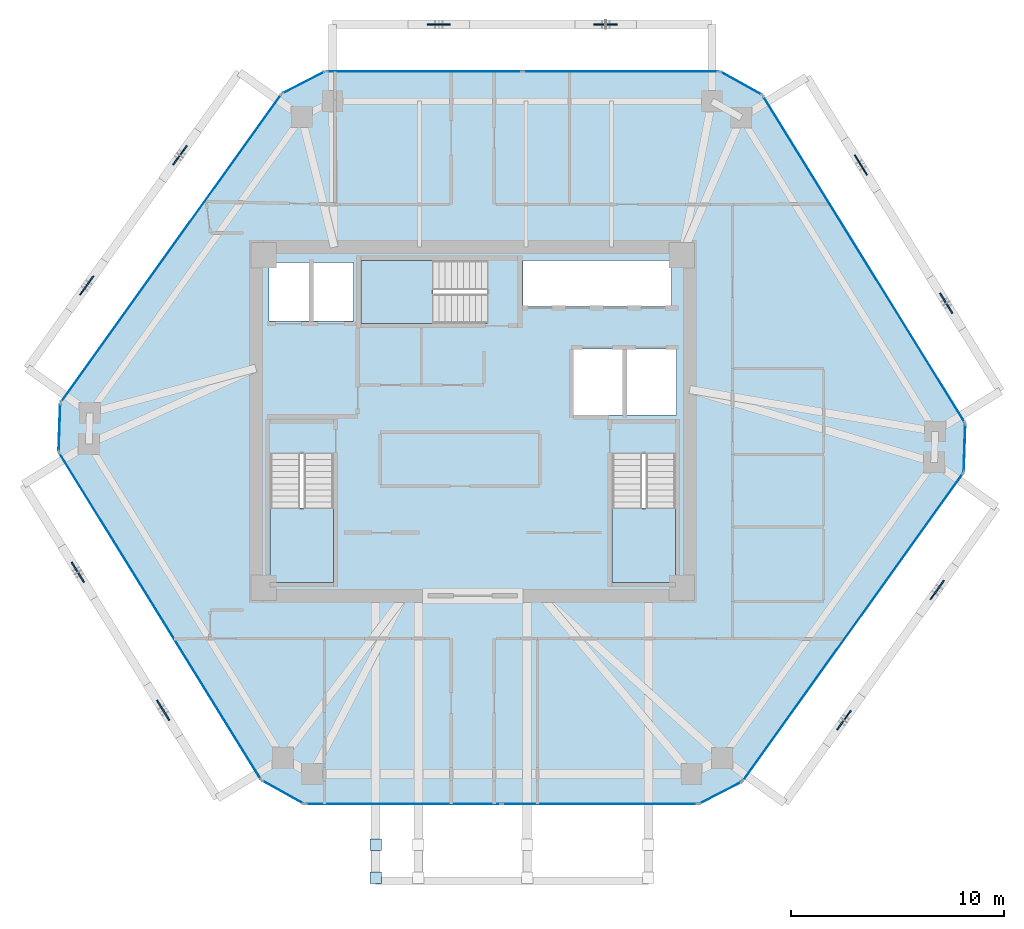
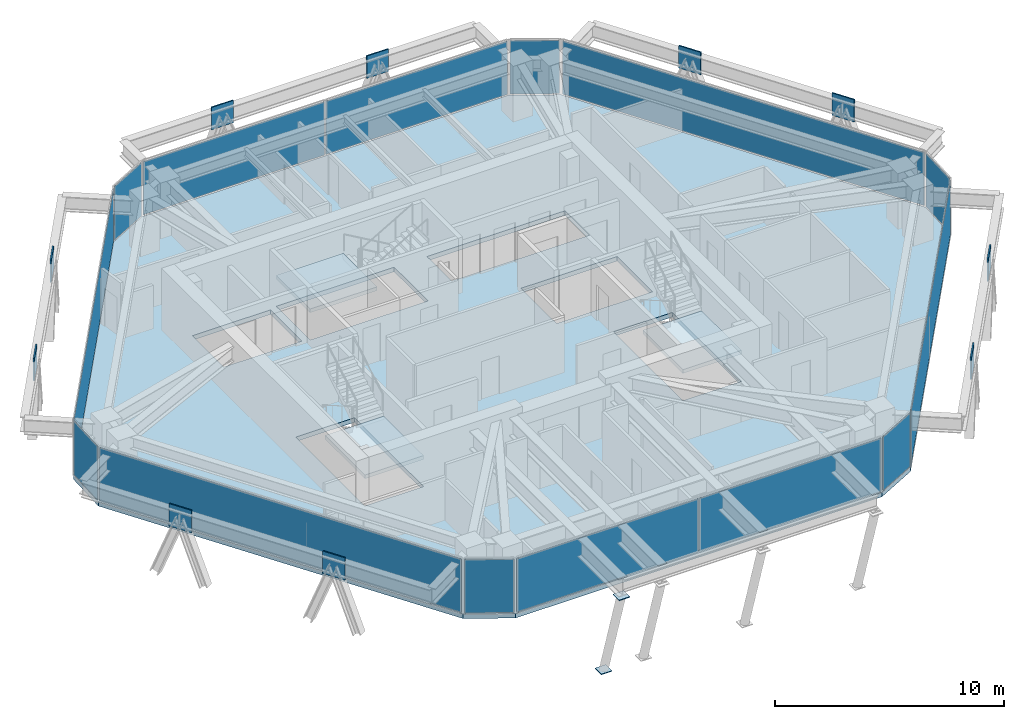
# One storey, part 7 of 14: 26 plates, 4 slabs, 15 elements without a shape of their own.
"""IFC4 building model written with IfcOpenShell, lengths in metres."""

from ifc_helpers import new_model, si_unit, direction, frame, origin, origin_2d, place, context, subcontext, project, spatial, polyline, rectangle, outline, extrude, source, transform, mapped, material, layer, layer_set, type_object, type_shapes, element, aggregate, save


model = new_model("IFC4")

# Units and contexts
model_context = context("Model", 3, precision=1e-05, world=origin(), true_north=direction((0.0, 1.0)))
body_context = subcontext(model_context, "Body", "Model", "MODEL_VIEW")
ifc_project = project(units=[si_unit("LENGTHUNIT", "METRE"), si_unit("AREAUNIT", "SQUARE_METRE"), si_unit("VOLUMEUNIT", "CUBIC_METRE"), si_unit("PLANEANGLEUNIT", "RADIAN"), si_unit("MASSUNIT", "GRAM", prefix="KILO")], contexts=[model_context])

# Site, building, storey
site_placement = place(None, origin())
site = spatial("IfcSite", under=ifc_project, at=site_placement, CompositionType="ELEMENT")
building_placement = place(site_placement, origin())
building = spatial("IfcBuilding", under=site, at=building_placement, Name="Durnholm Broadcast Tower", CompositionType="ELEMENT")
storey_placement = place(building_placement, frame((0.0, 0.0, 159.300048828125)))
storey = spatial("IfcBuildingStorey", under=building, at=storey_placement, Name="L43", CompositionType="ELEMENT", Elevation=159.300048828125)

# Slab
ifc_material_1 = material(Name="Concrete C50/60", Category="concrete")
ifc_layer_1 = layer(ifc_material_1, 0.239990234375)
ifc_layer_set_1 = layer_set([ifc_layer_1], Name="Concrete C50/60")
slab_type_1 = type_object("IfcSlabType", Name="SLAB-FLR-240", PredefinedType="FLOOR", material=ifc_layer_set_1)
slab_1_placement = place(storey_placement, frame((0.0, 0.0, -0.239990234375)))
element("IfcSlab", 1, at=slab_1_placement, inside=storey, type_object=slab_type_1, Name="L43 structural floor slab", PredefinedType="FLOOR", context=body_context, shape_type="SweptSolid", body=[
    extrude(outline(polyline([(-9.912353515625, -16.822021484375), (-7.9033203125, -17.94189453125), (10.59521484375, -17.94189453125), (12.64111328125, -16.890625), (23.022705078125, -2.390380859375), (23.1005859375, -0.091552734375), (13.59033203125, 15.2978515625), (11.581298828125, 16.41796875), (-6.917236328125, 16.41796875), (-8.962890625, 15.36669921875), (-19.3447265625, 0.8662109375), (-19.422607421875, -1.432373046875), (-9.912353515625, -16.822021484375)]), holes=[polyline([(-6.5400390625, -1.5), (-9.5, -1.5), (-9.5, -7.550048828125), (-6.5400390625, -7.550048828125), (-6.5400390625, -1.5)]), polyline([(9.5, -7.550048828125), (9.5, -1.5), (6.5400390625, -1.5), (6.5400390625, -7.550048828125), (9.5, -7.550048828125)]), polyline([(9.550048828125, 3.39990234375), (4.699951171875, 3.39990234375), (4.699951171875, 0.300048828125), (9.550048828125, 0.300048828125), (9.550048828125, 3.39990234375)]), polyline([(-9.550048828125, 7.449951171875), (-9.550048828125, 4.699951171875), (-5.60009765625, 4.699951171875), (-5.60009765625, 7.449951171875), (-9.550048828125, 7.449951171875)]), polyline([(-5.25, 4.60009765625), (0.699951171875, 4.60009765625), (0.699951171875, 7.56005859375), (-5.25, 7.56005859375), (-5.25, 4.60009765625)]), polyline([(9.31005859375, 7.550048828125), (2.35009765625, 7.550048828125), (2.35009765625, 5.39990234375), (9.31005859375, 5.39990234375), (9.31005859375, 7.550048828125)])]), origin(), (0.0, 0.0, 1.0), 0.239990234375),
])

# Stair, slab
stair_type = type_object("IfcStairType", Name="STAIR-DL-20R1650", PredefinedType="HALF_TURN_STAIR", material=ifc_material_1)
stair_1_placement = place(storey_placement, origin())
stair_1 = element("IfcStair", 2, at=stair_1_placement, inside=storey, type_object=stair_type, Name="L43 ST-1", PredefinedType="HALF_TURN_STAIR")
ifc_layer_2 = layer(ifc_material_1, 0.199951171875)
ifc_layer_set_2 = layer_set([ifc_layer_2], Name="Concrete C50/60")
slab_type_2 = type_object("IfcSlabType", Name="SLAB-LND-200", PredefinedType="LANDING", material=ifc_layer_set_2)
slab_2_placement = place(storey_placement, frame((0.0, 0.0, 1.449951171875)))
slab_2 = element("IfcSlab", 3, at=slab_2_placement, type_object=slab_type_2, Name="ST-1 landing 1", PredefinedType="LANDING", context=body_context, shape_type="SweptSolid", body=[
    extrude(outline(polyline([(-9.5, -4.06494140625), (-9.5, -7.550048828125), (-6.5400390625, -7.550048828125), (-6.5400390625, -4.06494140625), (-9.5, -4.06494140625)])), origin(), (0.0, 0.0, 1.0), 0.199951171875),
])
aggregate(stair_1, [slab_2])

stair_2_placement = place(storey_placement, origin())
stair_2 = element("IfcStair", 4, at=stair_2_placement, inside=storey, type_object=stair_type, Name="L43 ST-2", PredefinedType="HALF_TURN_STAIR")
slab_3_placement = place(storey_placement, frame((0.0, 0.0, 1.449951171875)))
slab_3 = element("IfcSlab", 5, at=slab_3_placement, type_object=slab_type_2, Name="ST-2 landing 1", PredefinedType="LANDING", context=body_context, shape_type="SweptSolid", body=[
    extrude(outline(polyline([(6.5400390625, -4.06494140625), (6.5400390625, -7.550048828125), (9.5, -7.550048828125), (9.5, -4.06494140625), (6.5400390625, -4.06494140625)])), origin(), (0.0, 0.0, 1.0), 0.199951171875),
])
aggregate(stair_2, [slab_3])

stair_3_placement = place(storey_placement, origin())
stair_3 = element("IfcStair", 6, at=stair_3_placement, inside=storey, type_object=stair_type, Name="L43 ST-3", PredefinedType="HALF_TURN_STAIR")
slab_4_placement = place(storey_placement, frame((0.0, 0.0, 1.449951171875)))
slab_4 = element("IfcSlab", 7, at=slab_4_placement, type_object=slab_type_2, Name="ST-3 landing 1", PredefinedType="LANDING", context=body_context, shape_type="SweptSolid", body=[
    extrude(outline(polyline([(-1.864990234375, 7.56005859375), (-5.25, 7.56005859375), (-5.25, 4.60009765625), (-1.864990234375, 4.60009765625), (-1.864990234375, 7.56005859375)])), origin(), (0.0, 0.0, 1.0), 0.199951171875),
])
aggregate(stair_3, [slab_4])

# Plates
ifc_material_2 = material(Name="Steel ASTM A572 Grade 50", Category="steel")
ifc_layer_3 = layer(ifc_material_2, 0.0400390625)
ifc_layer_set_3 = layer_set([ifc_layer_3], Name="Steel ASTM A572 Grade 50")
plate_type_1 = type_object("IfcPlateType", Name="PLT-KN-CAP", PredefinedType="USERDEFINED", material=ifc_layer_set_3)
shared_shape_1 = source(origin(), body_context, "Body", "SweptSolid", [
    extrude(rectangle(XDim=0.5400390625, YDim=0.5400390625, at=origin_2d()), origin(), (0.0, 0.0, 1.0), 0.0400390625),
])
type_shapes(plate_type_1, [shared_shape_1])
for number, where, z_axis, x_axis, name in (
    (8, (-4.56103515625, -19.85205078125, -3.027099609375), (0.0, 0.0, 1.0), (0.0, -1.0, 0.0), "L43 hollow section end cap plate STR-POOL-SUP-1 1"),
    (9, (-4.56103515625, -21.402099609375, 1.859130859375), (0.0, 0.0, 1.0), (0.0, -1.0, 0.0), "L43 hollow section end cap plate STR-POOL-SUP-1 2"),
):
    element("IfcPlate", number, at=place(storey_placement, frame(where, z_axis=z_axis, x_axis=x_axis)), inside=storey, type_object=plate_type_1, Name=name, ObjectType="CAP_PLATE", PredefinedType="USERDEFINED", context=body_context, shape_type="MappedRepresentation", body=[
        mapped(shared_shape_1, transform((0.0, 0.0, 0.0), x_axis=(1.0, 0.0, 0.0), y_axis=(0.0, 1.0, 0.0), z_axis=(0.0, 0.0, 1.0), scale=1.0)),
    ])
ifc_layer_4 = layer(ifc_material_2, 0.06494140625)
ifc_layer_set_4 = layer_set([ifc_layer_4], Name="Steel ASTM A572 Grade 50")
plate_type_2 = type_object("IfcPlateType", Name="PLT-KN07-GUS", PredefinedType="USERDEFINED", material=ifc_layer_set_4)
shared_shape_2 = source(origin(), body_context, "Body", "SweptSolid", [
    extrude(rectangle(XDim=1.10009765625, YDim=0.06494140625, at=origin_2d()), origin(), (0.0, 0.0, 1.0), 1.199951171875),
])
type_shapes(plate_type_2, [shared_shape_2])
for number, where, z_axis, x_axis, name in (
    (10, (17.40966796875, -14.009521484375, 1.62841796875), (0.0, 0.0, 1.0), (0.582122970157, 0.813100761047, 0.0), "L43 welded diagrid node gusset plate KN07 F2"),
    (11, (21.782470703125, -7.90185546875, 1.62841796875), (0.0, 0.0, 1.0), (0.582122970157, 0.813100761047, 0.0), "L43 welded diagrid node gusset plate KN07 F2"),
    (12, (22.202392578125, 5.546875, 1.62841796875), (0.0, 0.0, 1.0), (-0.525768608156, 0.850627633385, 0.0), "L43 welded diagrid node gusset plate KN07 F3"),
    (13, (18.2001953125, 12.023193359375, 1.62841796875), (0.0, 0.0, 1.0), (-0.525768608156, 0.850627633385, 0.0), "L43 welded diagrid node gusset plate KN07 F3"),
    (14, (6.234619140625, 18.617919921875, 1.62841796875), (0.0, 0.0, 1.0), (-1.0, 0.0, 0.0), "L43 welded diagrid node gusset plate KN07 F4"),
    (15, (-1.595703125, 18.617919921875, 1.62841796875), (0.0, 0.0, 1.0), (-1.0, 0.0, 0.0), "L43 welded diagrid node gusset plate KN07 F4"),
    (16, (-13.731689453125, 12.485595703125, 1.62841796875), (0.0, 0.0, 1.0), (-0.582122970157, -0.813100761047, 0.0), "L43 welded diagrid node gusset plate KN07 F5"),
    (17, (-18.1044921875, 6.3779296875, 1.62841796875), (0.0, 0.0, 1.0), (-0.582122970157, -0.813100761047, 0.0), "L43 welded diagrid node gusset plate KN07 F5"),
    (18, (-18.5244140625, -7.07080078125, 1.62841796875), (0.0, 0.0, 1.0), (0.525768608156, -0.850627633385, 0.0), "L43 welded diagrid node gusset plate KN07 F6"),
    (19, (-14.522216796875, -13.54736328125, 1.62841796875), (0.0, 0.0, 1.0), (0.525768608156, -0.850627633385, 0.0), "L43 welded diagrid node gusset plate KN07 F6"),
):
    element("IfcPlate", number, at=place(storey_placement, frame(where, z_axis=z_axis, x_axis=x_axis)), inside=storey, type_object=plate_type_2, Name=name, ObjectType="GUSSET_PLATE", PredefinedType="USERDEFINED", context=body_context, shape_type="MappedRepresentation", body=[
        mapped(shared_shape_2, transform((0.0, 0.0, 0.0), x_axis=(1.0, 0.0, 0.0), y_axis=(0.0, 1.0, 0.0), z_axis=(0.0, 0.0, 1.0), scale=1.0)),
    ])

# Curtain wall, plate
ifc_material_3 = material(Name="Aluminium and Solar Control IGU", Category="aluminium")
ifc_layer_5 = layer(ifc_material_3, 0.1650390625)
ifc_layer_set_5 = layer_set([ifc_layer_5], Name="Aluminium and Solar Control IGU")
curtain_wall_type_1 = type_object("IfcCurtainWallType", Name="CW-SYS-5", PredefinedType="NOTDEFINED", material=ifc_layer_set_5)
curtain_wall_1_placement = place(storey_placement, origin())
curtain_wall_1 = element("IfcCurtainWall", 20, at=curtain_wall_1_placement, inside=storey, type_object=curtain_wall_type_1, Name="L43 curtain wall CW-CORNER CW-L43-CRN-01", PredefinedType="NOTDEFINED")
ifc_material_4 = material(Name="Low-E Laminated Insulating Glass", Category="glass")
ifc_layer_6 = layer(ifc_material_4, 0.030029296875)
ifc_layer_set_6 = layer_set([ifc_layer_6], Name="Low-E Laminated Insulating Glass")
plate_type_3 = type_object("IfcPlateType", Name="CW-SYS-5-PNL", PredefinedType="CURTAIN_PANEL", material=ifc_layer_set_6)
shared_shape_3 = source(origin(), body_context, "Body", "SweptSolid", [
    extrude(rectangle(XDim=2.169921875, YDim=0.030029296875, at=origin_2d()), origin(), (0.0, 0.0, 1.0), 2.85009765625),
])
plate_1_placement = place(storey_placement, frame((-19.3837890625, -0.282958984375, 0.06494140625), z_axis=(0.0, 0.0, 1.0), x_axis=(0.033912704699, 0.999424798802, 0.0)))
plate_1 = element("IfcPlate", 21, at=plate_1_placement, type_object=plate_type_3, Name="CW-CORNER panel 1.1", PredefinedType="CURTAIN_PANEL", context=body_context, shape_type="MappedRepresentation", body=[
    mapped(shared_shape_3, transform((0.0, 0.0, 0.0), x_axis=(1.0, 0.0, 0.0), y_axis=(0.0, 1.0, 0.0), z_axis=(0.0, 0.0, 1.0), scale=1.0)),
])
aggregate(curtain_wall_1, [plate_1])

curtain_wall_2_placement = place(storey_placement, origin())
curtain_wall_2 = element("IfcCurtainWall", 22, at=curtain_wall_2_placement, inside=storey, type_object=curtain_wall_type_1, Name="L43 curtain wall CW-CORNER CW-L43-CRN-03", PredefinedType="NOTDEFINED")
plate_2_placement = place(storey_placement, frame((-7.940185546875, 15.892333984375, 0.06494140625), z_axis=(0.0, 0.0, 1.0), x_axis=(0.889424679545, 0.457081764476, 0.0)))
plate_2 = element("IfcPlate", 23, at=plate_2_placement, type_object=plate_type_3, Name="CW-CORNER panel 1.1", PredefinedType="CURTAIN_PANEL", context=body_context, shape_type="MappedRepresentation", body=[
    mapped(shared_shape_3, transform((0.0, 0.0, 0.0), x_axis=(1.0, 0.0, 0.0), y_axis=(0.0, 1.0, 0.0), z_axis=(0.0, 0.0, 1.0), scale=1.0)),
])
aggregate(curtain_wall_2, [plate_2])

curtain_wall_3_placement = place(storey_placement, origin())
curtain_wall_3 = element("IfcCurtainWall", 24, at=curtain_wall_3_placement, inside=storey, type_object=curtain_wall_type_1, Name="L43 curtain wall CW-CORNER CW-L43-CRN-07", PredefinedType="NOTDEFINED")
plate_3_placement = place(storey_placement, frame((23.061767578125, -1.240966796875, 0.06494140625), z_axis=(0.0, 0.0, 1.0), x_axis=(-0.033912704699, -0.999424798802, 0.0)))
plate_3 = element("IfcPlate", 25, at=plate_3_placement, type_object=plate_type_3, Name="CW-CORNER panel 1.1", PredefinedType="CURTAIN_PANEL", context=body_context, shape_type="MappedRepresentation", body=[
    mapped(shared_shape_3, transform((0.0, 0.0, 0.0), x_axis=(1.0, 0.0, 0.0), y_axis=(0.0, 1.0, 0.0), z_axis=(0.0, 0.0, 1.0), scale=1.0)),
])
aggregate(curtain_wall_3, [plate_3])

curtain_wall_4_placement = place(storey_placement, origin())
curtain_wall_4 = element("IfcCurtainWall", 26, at=curtain_wall_4_placement, inside=storey, type_object=curtain_wall_type_1, Name="L43 curtain wall CW-CORNER CW-L43-CRN-09", PredefinedType="NOTDEFINED")
plate_4_placement = place(storey_placement, frame((11.6181640625, -17.416259765625, 0.06494140625), z_axis=(0.0, 0.0, 1.0), x_axis=(-0.889424679545, -0.457081764476, 0.0)))
plate_4 = element("IfcPlate", 27, at=plate_4_placement, type_object=plate_type_3, Name="CW-CORNER panel 1.1", PredefinedType="CURTAIN_PANEL", context=body_context, shape_type="MappedRepresentation", body=[
    mapped(shared_shape_3, transform((0.0, 0.0, 0.0), x_axis=(1.0, 0.0, 0.0), y_axis=(0.0, 1.0, 0.0), z_axis=(0.0, 0.0, 1.0), scale=1.0)),
])
aggregate(curtain_wall_4, [plate_4])

ifc_layer_7 = layer(ifc_material_3, 0.18994140625)
ifc_layer_set_7 = layer_set([ifc_layer_7], Name="Aluminium and Solar Control IGU")
curtain_wall_type_2 = type_object("IfcCurtainWallType", Name="CW-SYS-4", PredefinedType="NOTDEFINED", material=ifc_layer_set_7)
curtain_wall_5_placement = place(storey_placement, origin())
curtain_wall_5 = element("IfcCurtainWall", 28, at=curtain_wall_5_placement, inside=storey, type_object=curtain_wall_type_2, Name="L43 curtain wall CW-Z34-VIS CW-L43-F02", PredefinedType="NOTDEFINED")
ifc_layer_8 = layer(ifc_material_4, 0.033935546875)
ifc_layer_set_8 = layer_set([ifc_layer_8], Name="Low-E Laminated Insulating Glass")
plate_type_4 = type_object("IfcPlateType", Name="CW-SYS-4-PNL", PredefinedType="CURTAIN_PANEL", material=ifc_layer_set_8)
shared_shape_4 = source(origin(), body_context, "Body", "SweptSolid", [
    extrude(rectangle(XDim=17.693603515625, YDim=0.033935546875, at=origin_2d()), origin(), (0.0, 0.0, 1.0), 2.840087890625),
])
plate_5_placement = place(storey_placement, frame((-14.15380859375, 8.116455078125, 0.06982421875), z_axis=(0.0, 0.0, 1.0), x_axis=(0.582139030549, 0.813089262696, 0.0)))
plate_5 = element("IfcPlate", 29, at=plate_5_placement, type_object=plate_type_4, Name="CW-Z34-VIS panel 1.1", PredefinedType="CURTAIN_PANEL", context=body_context, shape_type="MappedRepresentation", body=[
    mapped(shared_shape_4, transform((0.0, 0.0, 0.0), x_axis=(1.0, 0.0, 0.0), y_axis=(0.0, 1.0, 0.0), z_axis=(0.0, 0.0, 1.0), scale=1.0)),
])
aggregate(curtain_wall_5, [plate_5])

curtain_wall_6_placement = place(storey_placement, origin())
curtain_wall_6 = element("IfcCurtainWall", 30, at=curtain_wall_6_placement, inside=storey, type_object=curtain_wall_type_2, Name="L43 curtain wall CW-Z34-VIS CW-L43-F08", PredefinedType="NOTDEFINED")
plate_6_placement = place(storey_placement, frame((17.831787109375, -9.640380859375, 0.06982421875), z_axis=(0.0, 0.0, 1.0), x_axis=(-0.582139030549, -0.813089262696, 0.0)))
plate_6 = element("IfcPlate", 31, at=plate_6_placement, type_object=plate_type_4, Name="CW-Z34-VIS panel 1.1", PredefinedType="CURTAIN_PANEL", context=body_context, shape_type="MappedRepresentation", body=[
    mapped(shared_shape_4, transform((0.0, 0.0, 0.0), x_axis=(1.0, 0.0, 0.0), y_axis=(0.0, 1.0, 0.0), z_axis=(0.0, 0.0, 1.0), scale=1.0)),
])
aggregate(curtain_wall_6, [plate_6])

# Curtain wall, plates
curtain_wall_7_placement = place(storey_placement, origin())
curtain_wall_7 = element("IfcCurtainWall", 32, at=curtain_wall_7_placement, inside=storey, type_object=curtain_wall_type_2, Name="L43 curtain wall CW-Z34-VIS CW-L43-F04", PredefinedType="NOTDEFINED")
shared_shape_5 = source(origin(), body_context, "Body", "SweptSolid", [
    extrude(rectangle(XDim=9.144287109375, YDim=0.033935546875, at=origin_2d()), origin(), (0.0, 0.0, 1.0), 2.840087890625),
])
plate_7_placement = place(storey_placement, frame((-2.275146484375, 16.41796875, 0.06982421875), z_axis=(0.0, 0.0, 1.0), x_axis=(1.0, 0.0, 0.0)))
plate_7 = element("IfcPlate", 33, at=plate_7_placement, type_object=plate_type_4, Name="CW-Z34-VIS panel 1.1", PredefinedType="CURTAIN_PANEL", context=body_context, shape_type="MappedRepresentation", body=[
    mapped(shared_shape_5, transform((0.0, 0.0, 0.0), x_axis=(1.0, 0.0, 0.0), y_axis=(0.0, 1.0, 0.0), z_axis=(0.0, 0.0, 1.0), scale=1.0)),
])
plate_8_placement = place(storey_placement, frame((6.939208984375, 16.41796875, 0.06982421875), z_axis=(0.0, 0.0, 1.0), x_axis=(1.0, 0.0, 0.0)))
plate_8 = element("IfcPlate", 34, at=plate_8_placement, type_object=plate_type_4, Name="CW-Z34-VIS panel 2.1", PredefinedType="CURTAIN_PANEL", context=body_context, shape_type="MappedRepresentation", body=[
    mapped(shared_shape_5, transform((0.0, 0.0, 0.0), x_axis=(1.0, 0.0, 0.0), y_axis=(0.0, 1.0, 0.0), z_axis=(0.0, 0.0, 1.0), scale=1.0)),
])
aggregate(curtain_wall_7, [plate_7, plate_8])

curtain_wall_8_placement = place(storey_placement, origin())
curtain_wall_8 = element("IfcCurtainWall", 35, at=curtain_wall_8_placement, inside=storey, type_object=curtain_wall_type_2, Name="L43 curtain wall CW-Z34-VIS CW-L43-F10", PredefinedType="NOTDEFINED")
plate_9_placement = place(storey_placement, frame((5.953125, -17.94189453125, 0.06982421875), z_axis=(0.0, 0.0, 1.0), x_axis=(-1.0, 0.0, 0.0)))
plate_9 = element("IfcPlate", 36, at=plate_9_placement, type_object=plate_type_4, Name="CW-Z34-VIS panel 1.1", PredefinedType="CURTAIN_PANEL", context=body_context, shape_type="MappedRepresentation", body=[
    mapped(shared_shape_5, transform((0.0, 0.0, 0.0), x_axis=(1.0, 0.0, 0.0), y_axis=(0.0, 1.0, 0.0), z_axis=(0.0, 0.0, 1.0), scale=1.0)),
])
plate_10_placement = place(storey_placement, frame((-3.26123046875, -17.94189453125, 0.06982421875), z_axis=(0.0, 0.0, 1.0), x_axis=(-1.0, 0.0, 0.0)))
plate_10 = element("IfcPlate", 37, at=plate_10_placement, type_object=plate_type_4, Name="CW-Z34-VIS panel 2.1", PredefinedType="CURTAIN_PANEL", context=body_context, shape_type="MappedRepresentation", body=[
    mapped(shared_shape_5, transform((0.0, 0.0, 0.0), x_axis=(1.0, 0.0, 0.0), y_axis=(0.0, 1.0, 0.0), z_axis=(0.0, 0.0, 1.0), scale=1.0)),
])
aggregate(curtain_wall_8, [plate_9, plate_10])

# Curtain wall, plate
curtain_wall_9_placement = place(storey_placement, origin())
curtain_wall_9 = element("IfcCurtainWall", 38, at=curtain_wall_9_placement, inside=storey, type_object=curtain_wall_type_1, Name="L43 curtain wall CW-CORNER CW-L43-CRN-05", PredefinedType="NOTDEFINED")
shared_shape_6 = source(origin(), body_context, "Body", "SweptSolid", [
    extrude(rectangle(XDim=2.170166015625, YDim=0.030029296875, at=origin_2d()), origin(), (0.0, 0.0, 1.0), 2.85009765625),
])
type_shapes(plate_type_3, [shared_shape_3, shared_shape_6])
plate_11_placement = place(storey_placement, frame((12.5859375, 15.85791015625, 0.06494140625), z_axis=(0.0, 0.0, 1.0), x_axis=(0.873409751271, -0.486986043316, 0.0)))
plate_11 = element("IfcPlate", 39, at=plate_11_placement, type_object=plate_type_3, Name="CW-CORNER panel 1.1", PredefinedType="CURTAIN_PANEL", context=body_context, shape_type="MappedRepresentation", body=[
    mapped(shared_shape_6, transform((0.0, 0.0, 0.0), x_axis=(1.0, 0.0, 0.0), y_axis=(0.0, 1.0, 0.0), z_axis=(0.0, 0.0, 1.0), scale=1.0)),
])
aggregate(curtain_wall_9, [plate_11])

curtain_wall_10_placement = place(storey_placement, origin())
curtain_wall_10 = element("IfcCurtainWall", 40, at=curtain_wall_10_placement, inside=storey, type_object=curtain_wall_type_1, Name="L43 curtain wall CW-CORNER CW-L43-CRN-11", PredefinedType="NOTDEFINED")
plate_12_placement = place(storey_placement, frame((-8.907958984375, -17.3818359375, 0.06494140625), z_axis=(0.0, 0.0, 1.0), x_axis=(-0.873409751271, 0.486986043316, 0.0)))
plate_12 = element("IfcPlate", 41, at=plate_12_placement, type_object=plate_type_3, Name="CW-CORNER panel 1.1", PredefinedType="CURTAIN_PANEL", context=body_context, shape_type="MappedRepresentation", body=[
    mapped(shared_shape_6, transform((0.0, 0.0, 0.0), x_axis=(1.0, 0.0, 0.0), y_axis=(0.0, 1.0, 0.0), z_axis=(0.0, 0.0, 1.0), scale=1.0)),
])
aggregate(curtain_wall_10, [plate_12])

curtain_wall_11_placement = place(storey_placement, origin())
curtain_wall_11 = element("IfcCurtainWall", 42, at=curtain_wall_11_placement, inside=storey, type_object=curtain_wall_type_2, Name="L43 curtain wall CW-Z34-VIS CW-L43-F06", PredefinedType="NOTDEFINED")
shared_shape_7 = source(origin(), body_context, "Body", "SweptSolid", [
    extrude(rectangle(XDim=17.950927734375, YDim=0.033935546875, at=origin_2d()), origin(), (0.0, 0.0, 1.0), 2.840087890625),
])
type_shapes(plate_type_4, [shared_shape_4, shared_shape_5, shared_shape_7])
plate_13_placement = place(storey_placement, frame((18.345458984375, 7.603271484375, 0.06982421875), z_axis=(0.0, 0.0, 1.0), x_axis=(0.525697750452, -0.850671426092, 0.0)))
plate_13 = element("IfcPlate", 43, at=plate_13_placement, type_object=plate_type_4, Name="CW-Z34-VIS panel 1.1", PredefinedType="CURTAIN_PANEL", context=body_context, shape_type="MappedRepresentation", body=[
    mapped(shared_shape_7, transform((0.0, 0.0, 0.0), x_axis=(1.0, 0.0, 0.0), y_axis=(0.0, 1.0, 0.0), z_axis=(0.0, 0.0, 1.0), scale=1.0)),
])
aggregate(curtain_wall_11, [plate_13])

curtain_wall_12_placement = place(storey_placement, origin())
curtain_wall_12 = element("IfcCurtainWall", 44, at=curtain_wall_12_placement, inside=storey, type_object=curtain_wall_type_2, Name="L43 curtain wall CW-Z34-VIS CW-L43-F12", PredefinedType="NOTDEFINED")
plate_14_placement = place(storey_placement, frame((-14.66748046875, -9.127197265625, 0.06982421875), z_axis=(0.0, 0.0, 1.0), x_axis=(-0.525697750452, 0.850671426092, 0.0)))
plate_14 = element("IfcPlate", 45, at=plate_14_placement, type_object=plate_type_4, Name="CW-Z34-VIS panel 1.1", PredefinedType="CURTAIN_PANEL", context=body_context, shape_type="MappedRepresentation", body=[
    mapped(shared_shape_7, transform((0.0, 0.0, 0.0), x_axis=(1.0, 0.0, 0.0), y_axis=(0.0, 1.0, 0.0), z_axis=(0.0, 0.0, 1.0), scale=1.0)),
])
aggregate(curtain_wall_12, [plate_14])

save(model, "model.ifc")
